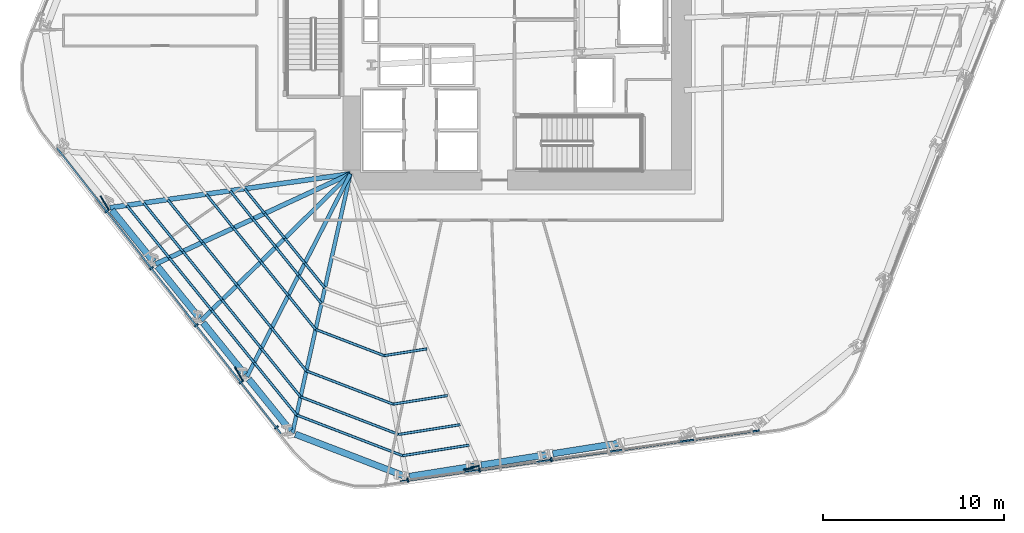
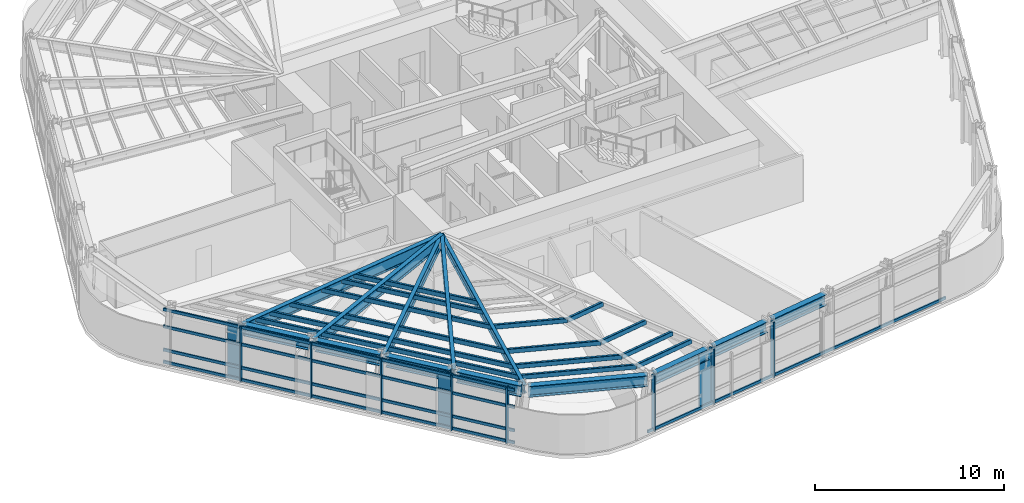
# One storey, part 2 of 16: 48 members, 13 beams, 2 elements without a shape of their own.
"""IFC4 building model written with IfcOpenShell, lengths in metres."""

from ifc_helpers import new_model, si_unit, direction, frame, origin, origin_2d, place, context, subcontext, project, spatial, rectangle, hollow_rectangle, i_section, extrude, material, layer, layer_set, material_profile, profile_set, type_object, element, aggregate, save


model = new_model("IFC4")

# Units and contexts
model_context = context("Model", 3, precision=1e-05, world=origin(), true_north=direction((0.0, 1.0)))
body_context = subcontext(model_context, "Body", "Model", "MODEL_VIEW")
ifc_project = project(units=[si_unit("LENGTHUNIT", "METRE"), si_unit("AREAUNIT", "SQUARE_METRE"), si_unit("VOLUMEUNIT", "CUBIC_METRE"), si_unit("PLANEANGLEUNIT", "RADIAN"), si_unit("MASSUNIT", "GRAM", prefix="KILO")], contexts=[model_context])

# Site, building, storey
site_placement = place(None, origin())
site = spatial("IfcSite", under=ifc_project, at=site_placement, CompositionType="ELEMENT")
building_placement = place(site_placement, origin())
building = spatial("IfcBuilding", under=site, at=building_placement, Name="Valkerne Bourse Tower", CompositionType="ELEMENT")
storey_placement = place(building_placement, frame((0.0, 0.0, 58.199951171875)))
storey = spatial("IfcBuildingStorey", under=building, at=storey_placement, Name="L14", CompositionType="ELEMENT", Elevation=58.199951171875)

# Beams
ifc_material_1 = material(Name="Steel ASTM A992", Category="steel")
ifc_material_profile_1 = material_profile(ifc_material_1, i_section(OverallWidth=0.209228515625, OverallDepth=0.533447265625, WebThickness=0.01025390625, FlangeThickness=0.015625, FilletRadius=0.017822265625, at=origin_2d()), Name="W21X62")
ifc_profile_set_1 = profile_set([ifc_material_profile_1], Name="Steel ASTM A992")
beam_type_1 = type_object("IfcBeamType", Name="BM-W21X62", PredefinedType="JOIST", material=ifc_profile_set_1)
beam_1_placement = place(storey_placement, frame((34.410400390625, 4.1123046875, 3.313232421875), z_axis=(0.217885654593, 0.97597430372, 0.0), x_axis=(-0.97597430372, 0.217885654593, 0.0)))
element("IfcBeam", 1, at=beam_1_placement, inside=storey, type_object=beam_type_1, Name="L14 Radial Composite Floor Beam 23", PredefinedType="JOIST", context=body_context, shape_type="SweptSolid", body=[
    extrude(i_section(OverallWidth=0.209228515625, OverallDepth=0.533447265625, WebThickness=0.01025390625, FlangeThickness=0.015625, FilletRadius=0.017822265625, at=origin_2d()), origin(), (0.0, 0.0, 1.0), 14.639404296875),
])
ifc_material_profile_2 = material_profile(ifc_material_1, i_section(OverallWidth=0.2138671875, OverallDepth=0.548583984375, WebThickness=0.0146484375, FlangeThickness=0.023681640625, FilletRadius=0.017822265625, at=origin_2d()), Name="W21X93")
ifc_profile_set_2 = profile_set([ifc_material_profile_2], Name="Steel ASTM A992")
beam_type_2 = type_object("IfcBeamType", Name="BM-W21X93", PredefinedType="BEAM", material=ifc_profile_set_2)
beam_2_placement = place(storey_placement, frame((31.8955078125, 7.2177734375, 3.3056640625), z_axis=(0.454433809477, 0.890780507647, 0.0), x_axis=(-0.890780507647, 0.454433809477, 0.0)))
element("IfcBeam", 2, at=beam_2_placement, inside=storey, type_object=beam_type_2, Name="L14 Radial Composite Floor Beam 22", PredefinedType="BEAM", context=body_context, shape_type="SweptSolid", body=[
    extrude(i_section(OverallWidth=0.2138671875, OverallDepth=0.548583984375, WebThickness=0.0146484375, FlangeThickness=0.023681640625, FilletRadius=0.017822265625, at=origin_2d()), origin(), (0.0, 0.0, 1.0), 12.55322265625),
])
ifc_material_profile_3 = material_profile(ifc_material_1, i_section(OverallWidth=0.228271484375, OverallDepth=0.607177734375, WebThickness=0.01123046875, FlangeThickness=0.017333984375, FilletRadius=0.017822265625, at=origin_2d()), Name="W24X76")
ifc_profile_set_3 = profile_set([ifc_material_profile_3], Name="Steel ASTM A992")
beam_type_3 = type_object("IfcBeamType", Name="BM-W24X76", PredefinedType="JOIST", material=ifc_profile_set_3)
beam_3_placement = place(storey_placement, frame((29.380859375, 10.3232421875, 3.2763671875), z_axis=(0.713266188815, 0.700893247145, 0.0), x_axis=(-0.700893247145, 0.713266188815, 0.0)))
element("IfcBeam", 3, at=beam_3_placement, inside=storey, type_object=beam_type_3, Name="L14 Radial Composite Floor Beam 21", PredefinedType="JOIST", context=body_context, shape_type="SweptSolid", body=[
    extrude(i_section(OverallWidth=0.228271484375, OverallDepth=0.607177734375, WebThickness=0.01123046875, FlangeThickness=0.017333984375, FilletRadius=0.017822265625, at=origin_2d()), origin(), (0.0, 0.0, 1.0), 11.5234375),
])
ifc_material_profile_4 = material_profile(ifc_material_1, i_section(OverallWidth=0.255859375, OverallDepth=0.693359375, WebThickness=0.014404296875, FlangeThickness=0.023681640625, FilletRadius=0.02294921875, at=origin_2d()), Name="W27X114")
ifc_profile_set_4 = profile_set([ifc_material_profile_4], Name="Steel ASTM A992")
beam_type_4 = type_object("IfcBeamType", Name="BM-W27X114", PredefinedType="BEAM", material=ifc_profile_set_4)
beam_4_placement = place(storey_placement, frame((26.8662109375, 13.4287109375, 3.2333984375), z_axis=(0.907408904451, 0.420248831198, 0.0), x_axis=(-0.420248831198, 0.907408904451, 0.0)))
element("IfcBeam", 4, at=beam_4_placement, inside=storey, type_object=beam_type_4, Name="L14 Radial Composite Floor Beam 20", PredefinedType="BEAM", context=body_context, shape_type="SweptSolid", body=[
    extrude(i_section(OverallWidth=0.255859375, OverallDepth=0.693359375, WebThickness=0.014404296875, FlangeThickness=0.023681640625, FilletRadius=0.02294921875, at=origin_2d()), origin(), (0.0, 0.0, 1.0), 11.8291015625),
])
ifc_material_profile_5 = material_profile(ifc_material_1, i_section(OverallWidth=0.358154296875, OverallDepth=0.7060546875, WebThickness=0.018310546875, FlangeThickness=0.0302734375, FilletRadius=0.02294921875, at=origin_2d()), Name="W27X178")
ifc_profile_set_5 = profile_set([ifc_material_profile_5], Name="Steel ASTM A992")
beam_type_5 = type_object("IfcBeamType", Name="BM-W27X178", PredefinedType="SPANDREL", material=ifc_profile_set_5)
for number, where, z_axis, x_axis, name in (
    (5, (24.458251953125, 16.402099609375, 3.22705078125), (0.629309639735, -0.777154667577, 0.0), (0.777154667577, 0.629309639735, 0.0), "L14 Hexagonal Spandrel Ring Beam 19"),
    (6, (26.97314453125, 13.296630859375, 3.22705078125), (0.629309639735, -0.777154667577, 0.0), (0.777154667577, 0.629309639735, 0.0), "L14 Hexagonal Spandrel Ring Beam 20"),
    (7, (29.48779296875, 10.191162109375, 3.22705078125), (0.629309639735, -0.777154667577, 0.0), (0.777154667577, 0.629309639735, 0.0), "L14 Hexagonal Spandrel Ring Beam 21"),
    (8, (32.002685546875, 7.085693359375, 3.22705078125), (0.629309639735, -0.777154667577, 0.0), (0.777154667577, 0.629309639735, 0.0), "L14 Hexagonal Spandrel Ring Beam 22"),
):
    element("IfcBeam", number, at=place(storey_placement, frame(where, z_axis=z_axis, x_axis=x_axis)), inside=storey, type_object=beam_type_5, Name=name, PredefinedType="SPANDREL", context=body_context, shape_type="SweptSolid", body=[
        extrude(i_section(OverallWidth=0.358154296875, OverallDepth=0.7060546875, WebThickness=0.018310546875, FlangeThickness=0.0302734375, FilletRadius=0.02294921875, at=origin_2d()), origin(), (0.0, 0.0, 1.0), 3.656005859375),
    ])
beam_5_placement = place(storey_placement, frame((34.569091796875, 4.051513671875, 3.22705078125), z_axis=(0.93356997138, -0.35839518487, 0.0), x_axis=(0.35839518487, 0.93356997138, 0.0)))
element("IfcBeam", 9, at=beam_5_placement, inside=storey, type_object=beam_type_5, Name="L14 Hexagonal Spandrel Ring Beam 23", PredefinedType="SPANDREL", context=body_context, shape_type="SweptSolid", body=[
    extrude(i_section(OverallWidth=0.358154296875, OverallDepth=0.7060546875, WebThickness=0.018310546875, FlangeThickness=0.0302734375, FilletRadius=0.02294921875, at=origin_2d()), origin(), (0.0, 0.0, 1.0), 6.388916015625),
])
for number, where, z_axis, x_axis, name in (
    (10, (40.8603515625, 1.7275390625, 3.22705078125), (0.987695193169, 0.156391193456, 0.0), (-0.156391193456, 0.987695193169, 0.0), "L14 Hexagonal Spandrel Ring Beam 24"),
    (11, (44.80712890625, 2.3525390625, 3.22705078125), (0.987684876333, 0.156456335964, 0.0), (-0.156456335964, 0.987684876333, 0.0), "L14 Hexagonal Spandrel Ring Beam 25"),
    (12, (48.75390625, 2.977783203125, 3.22705078125), (0.987695193169, 0.156391193456, 0.0), (-0.156391193456, 0.987695193169, 0.0), "L14 Hexagonal Spandrel Ring Beam 26"),
):
    element("IfcBeam", number, at=place(storey_placement, frame(where, z_axis=z_axis, x_axis=x_axis)), inside=storey, type_object=beam_type_5, Name=name, PredefinedType="SPANDREL", context=body_context, shape_type="SweptSolid", body=[
        extrude(i_section(OverallWidth=0.358154296875, OverallDepth=0.7060546875, WebThickness=0.018310546875, FlangeThickness=0.0302734375, FilletRadius=0.02294921875, at=origin_2d()), origin(), (0.0, 0.0, 1.0), 3.656005859375),
    ])
ifc_material_profile_6 = material_profile(ifc_material_1, i_section(OverallWidth=0.26806640625, OverallDepth=0.76953125, WebThickness=0.015625, FlangeThickness=0.025390625, FilletRadius=0.025390625, at=origin_2d()), Name="W30X132")
ifc_profile_set_6 = profile_set([ifc_material_profile_6], Name="Steel ASTM A992")
beam_type_6 = type_object("IfcBeamType", Name="BM-W30X132", PredefinedType="BEAM", material=ifc_profile_set_6)
beam_6_placement = place(storey_placement, frame((24.351318359375, 16.5341796875, 3.1953125), z_axis=(0.990229628312, 0.139446345285, 0.0), x_axis=(-0.139446345285, 0.990229628312, 0.0)))
element("IfcBeam", 13, at=beam_6_placement, inside=storey, type_object=beam_type_6, Name="L14 Radial Composite Floor Beam 19", PredefinedType="BEAM", context=body_context, shape_type="SweptSolid", body=[
    extrude(i_section(OverallWidth=0.26806640625, OverallDepth=0.76953125, WebThickness=0.015625, FlangeThickness=0.025390625, FilletRadius=0.025390625, at=origin_2d()), origin(), (0.0, 0.0, 1.0), 13.37939453125),
])

# Curtain wall, members
ifc_material_2 = material(Name="Aluminium AA 6063-T6", Category="aluminium")
ifc_layer = layer(ifc_material_2, 0.22509765625)
ifc_layer_set = layer_set([ifc_layer], Name="Aluminium AA 6063-T6")
curtain_wall_type = type_object("IfcCurtainWallType", Name="CW-01", PredefinedType="NOTDEFINED", material=ifc_layer_set)
curtain_wall_1_placement = place(storey_placement, origin())
curtain_wall_1 = element("IfcCurtainWall", 14, at=curtain_wall_1_placement, inside=storey, type_object=curtain_wall_type, Name="L14 Hexagonal Stick Curtain Wall Face 4", PredefinedType="NOTDEFINED")
ifc_material_profile_7 = material_profile(ifc_material_2, rectangle(XDim=0.090087890625, YDim=0.239990234375, at=origin_2d()), Name="CWM-90X240")
ifc_profile_set_7 = profile_set([ifc_material_profile_7], Name="Aluminium AA 6063-T6")
member_type_1 = type_object("IfcMemberType", Name="CW-MUL-240X90", PredefinedType="MULLION", material=ifc_profile_set_7)
member_1_placement = place(storey_placement, frame((24.181396484375, 16.347900390625, 0.0), z_axis=(0.0, 0.0, 1.0), x_axis=(0.617038764225, -0.786932756621, 0.0)))
member_1 = element("IfcMember", 15, at=member_1_placement, type_object=member_type_1, Name="CW-L14-F4 Jamb Mullion 01A", PredefinedType="MULLION", context=body_context, shape_type="SweptSolid", body=[
    extrude(rectangle(XDim=0.090087890625, YDim=0.239990234375, at=origin_2d()), origin(), (0.0, 0.0, 1.0), 3.580078125),
])
member_2_placement = place(storey_placement, frame((26.64697265625, 13.203369140625, 0.0), z_axis=(0.0, 0.0, 1.0), x_axis=(0.617038764225, -0.786932756621, 0.0)))
member_2 = element("IfcMember", 16, at=member_2_placement, type_object=member_type_1, Name="CW-L14-F4 Jamb Mullion 02A", PredefinedType="MULLION", context=body_context, shape_type="SweptSolid", body=[
    extrude(rectangle(XDim=0.090087890625, YDim=0.239990234375, at=origin_2d()), origin(), (0.0, 0.0, 1.0), 3.580078125),
])
member_3_placement = place(storey_placement, frame((29.11279296875, 10.05859375, 0.0), z_axis=(0.0, 0.0, 1.0), x_axis=(0.617023266871, -0.786944907945, 0.0)))
member_3 = element("IfcMember", 17, at=member_3_placement, type_object=member_type_1, Name="CW-L14-F4 Jamb Mullion 03A", PredefinedType="MULLION", context=body_context, shape_type="SweptSolid", body=[
    extrude(rectangle(XDim=0.090087890625, YDim=0.239990234375, at=origin_2d()), origin(), (0.0, 0.0, 1.0), 3.580078125),
])
member_4_placement = place(storey_placement, frame((31.578369140625, 6.9140625, 0.0), z_axis=(0.0, 0.0, 1.0), x_axis=(0.617038764225, -0.786932756621, 0.0)))
member_4 = element("IfcMember", 18, at=member_4_placement, type_object=member_type_1, Name="CW-L14-F4 Jamb Mullion 04A", PredefinedType="MULLION", context=body_context, shape_type="SweptSolid", body=[
    extrude(rectangle(XDim=0.090087890625, YDim=0.239990234375, at=origin_2d()), origin(), (0.0, 0.0, 1.0), 3.580078125),
])
member_5_placement = place(storey_placement, frame((33.525634765625, 4.430419921875, 0.0), z_axis=(0.0, 0.0, 1.0), x_axis=(0.617038764225, -0.786932756621, 0.0)))
member_5 = element("IfcMember", 19, at=member_5_placement, type_object=member_type_1, Name="CW-L14-F4 Jamb Mullion 04B", PredefinedType="MULLION", context=body_context, shape_type="SweptSolid", body=[
    extrude(rectangle(XDim=0.090087890625, YDim=0.239990234375, at=origin_2d()), origin(), (0.0, 0.0, 1.0), 3.580078125),
])

curtain_wall_2_placement = place(storey_placement, origin())
curtain_wall_2 = element("IfcCurtainWall", 20, at=curtain_wall_2_placement, inside=storey, type_object=curtain_wall_type, Name="L14 Hexagonal Stick Curtain Wall Face 5", PredefinedType="NOTDEFINED")
member_6_placement = place(storey_placement, frame((40.759521484375, 1.5224609375, 0.0), z_axis=(0.0, 0.0, 1.0), x_axis=(0.990021934564, 0.140913338908, 0.0)))
member_6 = element("IfcMember", 21, at=member_6_placement, type_object=member_type_1, Name="CW-L14-F5 Jamb Mullion 00A", PredefinedType="MULLION", context=body_context, shape_type="SweptSolid", body=[
    extrude(rectangle(XDim=0.090087890625, YDim=0.239990234375, at=origin_2d()), origin(), (0.0, 0.0, 1.0), 3.580078125),
])
member_7_placement = place(storey_placement, frame((44.7158203125, 2.085693359375, 0.0), z_axis=(0.0, 0.0, 1.0), x_axis=(0.990024928635, 0.14089230171, 0.0)))
member_7 = element("IfcMember", 22, at=member_7_placement, type_object=member_type_1, Name="CW-L14-F5 Jamb Mullion 01A", PredefinedType="MULLION", context=body_context, shape_type="SweptSolid", body=[
    extrude(rectangle(XDim=0.090087890625, YDim=0.239990234375, at=origin_2d()), origin(), (0.0, 0.0, 1.0), 3.580078125),
])
member_8_placement = place(storey_placement, frame((48.671875, 2.648681640625, 0.0), z_axis=(0.0, 0.0, 1.0), x_axis=(0.990021437646, 0.140916830088, 0.0)))
member_8 = element("IfcMember", 23, at=member_8_placement, type_object=member_type_1, Name="CW-L14-F5 Jamb Mullion 02A", PredefinedType="MULLION", context=body_context, shape_type="SweptSolid", body=[
    extrude(rectangle(XDim=0.090087890625, YDim=0.239990234375, at=origin_2d()), origin(), (0.0, 0.0, 1.0), 3.580078125),
])

# Member
ifc_material_profile_8 = material_profile(ifc_material_2, rectangle(XDim=0.090087890625, YDim=0.179931640625, at=origin_2d()), Name="CWT-90X180")
ifc_profile_set_8 = profile_set([ifc_material_profile_8], Name="Aluminium AA 6063-T6")
member_type_2 = type_object("IfcMemberType", Name="CW-TRN-180X90", PredefinedType="USERDEFINED", material=ifc_profile_set_8)
member_9_placement = place(storey_placement, frame((21.440673828125, 19.810546875, 0.1201171875), z_axis=(0.617037129125, -0.786934038711, 0.0), x_axis=(0.786934038711, 0.617037129125, 0.0)))
member_9 = element("IfcMember", 24, at=member_9_placement, type_object=member_type_2, Name="CW-L14-F4 Continuous Face Transom 1", ObjectType="TRANSOM", PredefinedType="USERDEFINED", context=body_context, shape_type="SweptSolid", body=[
    extrude(rectangle(XDim=0.090087890625, YDim=0.179931640625, at=origin_2d()), origin(), (0.0, 0.0, 1.0), 19.97998046875),
])

member_10_placement = place(storey_placement, frame((21.440673828125, 19.810546875, 0.900146484375), z_axis=(0.617037129125, -0.786934038711, 0.0), x_axis=(0.786934038711, 0.617037129125, 0.0)))
member_10 = element("IfcMember", 25, at=member_10_placement, type_object=member_type_2, Name="CW-L14-F4 Continuous Face Transom 2", ObjectType="TRANSOM", PredefinedType="USERDEFINED", context=body_context, shape_type="SweptSolid", body=[
    extrude(rectangle(XDim=0.090087890625, YDim=0.179931640625, at=origin_2d()), origin(), (0.0, 0.0, 1.0), 19.97998046875),
])

member_11_placement = place(storey_placement, frame((21.440673828125, 19.810546875, 2.400146484375), z_axis=(0.617037129125, -0.786934038711, 0.0), x_axis=(0.786934038711, 0.617037129125, 0.0)))
member_11 = element("IfcMember", 26, at=member_11_placement, type_object=member_type_2, Name="CW-L14-F4 Continuous Face Transom 3", ObjectType="TRANSOM", PredefinedType="USERDEFINED", context=body_context, shape_type="SweptSolid", body=[
    extrude(rectangle(XDim=0.090087890625, YDim=0.179931640625, at=origin_2d()), origin(), (0.0, 0.0, 1.0), 19.97998046875),
])

member_12_placement = place(storey_placement, frame((21.440673828125, 19.810546875, 3.5), z_axis=(0.617037129125, -0.786934038711, 0.0), x_axis=(0.786934038711, 0.617037129125, 0.0)))
member_12 = element("IfcMember", 27, at=member_12_placement, type_object=member_type_2, Name="CW-L14-F4 Continuous Face Transom 4", ObjectType="TRANSOM", PredefinedType="USERDEFINED", context=body_context, shape_type="SweptSolid", body=[
    extrude(rectangle(XDim=0.090087890625, YDim=0.179931640625, at=origin_2d()), origin(), (0.0, 0.0, 1.0), 19.97998046875),
])

aggregate(curtain_wall_1, [member_9, member_10, member_11, member_12, member_1, member_2, member_3, member_4, member_5])

member_13_placement = place(storey_placement, frame((40.346435546875, 1.443603515625, 0.1201171875), z_axis=(0.990023893273, 0.140899576823, 0.0), x_axis=(-0.140899576823, 0.990023893273, 0.0)))
member_13 = element("IfcMember", 28, at=member_13_placement, type_object=member_type_2, Name="CW-L14-F5 Continuous Face Transom 1", ObjectType="TRANSOM", PredefinedType="USERDEFINED", context=body_context, shape_type="SweptSolid", body=[
    extrude(rectangle(XDim=0.090087890625, YDim=0.179931640625, at=origin_2d()), origin(), (0.0, 0.0, 1.0), 19.97998046875),
])

aggregate(curtain_wall_2, [member_13, member_6, member_7, member_8])

# Members
ifc_material_3 = material(Name="Bronze Anodised Aluminium AA 6063-T6", Category="aluminium")
ifc_material_profile_9 = material_profile(ifc_material_3, rectangle(XDim=0.070068359375, YDim=0.89990234375, at=origin_2d()), Name="FIN-70X900")
ifc_profile_set_9 = profile_set([ifc_material_profile_9], Name="Bronze Anodised Aluminium AA 6063-T6")
member_type_3 = type_object("IfcMemberType", Name="FIN-SOLAR-900", PredefinedType="USERDEFINED", material=ifc_profile_set_9)
for number, where, z_axis, x_axis, name in (
    (29, (24.063720703125, 16.78955078125, 0.004150390625), (0.0, 0.0, 1.0), (-0.857969193691, -0.513701141402, 0.0), "L14 Bronze Anodised Solar Fin F4-01"),
    (30, (31.460693359375, 7.355712890625, 0.004150390625), (0.0, 0.0, 1.0), (-0.857969193691, -0.513701141402, 0.0), "L14 Bronze Anodised Solar Fin F4-04"),
    (31, (44.2744140625, 2.20458984375, 0.004150390625), (0.0, 0.0, 1.0), (0.257268871844, -0.966339861322, 0.0), "L14 Bronze Anodised Solar Fin F5-01"),
):
    element("IfcMember", number, at=place(storey_placement, frame(where, z_axis=z_axis, x_axis=x_axis)), inside=storey, type_object=member_type_3, Name=name, ObjectType="SOLAR_FIN", PredefinedType="USERDEFINED", context=body_context, shape_type="SweptSolid", body=[
        extrude(rectangle(XDim=0.070068359375, YDim=0.89990234375, at=origin_2d()), origin(), (0.0, 0.0, 1.0), 3.57177734375),
    ])
ifc_material_4 = material(Name="Steel ASTM A500 Grade C", Category="steel")
ifc_material_profile_10 = material_profile(ifc_material_4, hollow_rectangle(XDim=0.14990234375, YDim=0.300048828125, WallThickness=0.012451171875, OuterFilletRadius=0.02490234375, at=origin_2d()), Name="HSS300X150X12.5")
ifc_profile_set_10 = profile_set([ifc_material_profile_10], Name="Steel ASTM A500 Grade C")
member_type_4 = type_object("IfcMemberType", Name="MBR-HSS300X150X12.5", PredefinedType="PURLIN", material=ifc_profile_set_10)
for number, where, z_axis, x_axis, name in (
    (32, (31.7705078125, 17.5791015625, 3.420166015625), (0.629373953206, -0.777102584622, 0.0), (0.777102584622, 0.629373953206, 0.0), "L14 Secondary Composite Floor Purlin K-19"),
    (33, (32.877197265625, 16.212646484375, 3.420166015625), (0.629290096716, -0.777170492347, 0.0), (0.777170492347, 0.629290096716, 0.0), "L14 Secondary Composite Floor Purlin K-20"),
    (34, (33.983642578125, 14.84619140625, 3.420166015625), (0.629290096716, -0.777170492347, 0.0), (0.777170492347, 0.629290096716, 0.0), "L14 Secondary Composite Floor Purlin K-21"),
):
    element("IfcMember", number, at=place(storey_placement, frame(where, z_axis=z_axis, x_axis=x_axis)), inside=storey, type_object=member_type_4, Name=name, PredefinedType="PURLIN", context=body_context, shape_type="SweptSolid", body=[
        extrude(hollow_rectangle(XDim=0.14990234375, YDim=0.300048828125, WallThickness=0.012451171875, OuterFilletRadius=0.02490234375, at=origin_2d()), origin(), (0.0, 0.0, 1.0), 1.75830078125),
    ])
member_14_placement = place(storey_placement, frame((35.090087890625, 13.479736328125, 3.420166015625), z_axis=(0.629358010776, -0.777115496095, 0.0), x_axis=(0.777115496095, 0.629358010776, 0.0)))
element("IfcMember", 35, at=member_14_placement, inside=storey, type_object=member_type_4, Name="L14 Secondary Composite Floor Purlin K-22", PredefinedType="PURLIN", context=body_context, shape_type="SweptSolid", body=[
    extrude(hollow_rectangle(XDim=0.14990234375, YDim=0.300048828125, WallThickness=0.012451171875, OuterFilletRadius=0.02490234375, at=origin_2d()), origin(), (0.0, 0.0, 1.0), 1.758056640625),
])
for number, where, z_axis, x_axis, name in (
    (36, (30.9755859375, 17.46728515625, 3.420166015625), (0.629243920782, -0.77720787963, 0.0), (0.77720787963, 0.629243920782, 0.0), "L14 Secondary Composite Floor Purlin M-19"),
    (37, (32.23291015625, 15.914306640625, 3.420166015625), (0.629377473115, -0.777099733841, 0.0), (0.777099733841, 0.629377473115, 0.0), "L14 Secondary Composite Floor Purlin M-20"),
    (38, (33.490478515625, 14.361572265625, 3.420166015625), (0.62930367874, -0.777159494521, 0.0), (0.777159494521, 0.62930367874, 0.0), "L14 Secondary Composite Floor Purlin M-21"),
    (39, (34.747802734375, 12.808837890625, 3.420166015625), (0.62930367874, -0.777159494521, 0.0), (0.777159494521, 0.62930367874, 0.0), "L14 Secondary Composite Floor Purlin M-22"),
):
    element("IfcMember", number, at=place(storey_placement, frame(where, z_axis=z_axis, x_axis=x_axis)), inside=storey, type_object=member_type_4, Name=name, PredefinedType="PURLIN", context=body_context, shape_type="SweptSolid", body=[
        extrude(hollow_rectangle(XDim=0.14990234375, YDim=0.300048828125, WallThickness=0.012451171875, OuterFilletRadius=0.02490234375, at=origin_2d()), origin(), (0.0, 0.0, 1.0), 1.998046875),
    ])
for number, where, z_axis, x_axis, name in (
    (40, (27.531005859375, 16.982177734375, 3.420166015625), (0.629272226232, -0.777184962086, 0.0), (0.777184962086, 0.629272226232, 0.0), "L14 Secondary Composite Floor Purlin O-19"),
    (41, (29.442138671875, 14.621826171875, 3.420166015625), (0.629360092855, -0.77711380989, 0.0), (0.77711380989, 0.629360092855, 0.0), "L14 Secondary Composite Floor Purlin O-20"),
):
    element("IfcMember", number, at=place(storey_placement, frame(where, z_axis=z_axis, x_axis=x_axis)), inside=storey, type_object=member_type_4, Name=name, PredefinedType="PURLIN", context=body_context, shape_type="SweptSolid", body=[
        extrude(hollow_rectangle(XDim=0.14990234375, YDim=0.300048828125, WallThickness=0.012451171875, OuterFilletRadius=0.02490234375, at=origin_2d()), origin(), (0.0, 0.0, 1.0), 3.037109375),
    ])
for number, where, z_axis, x_axis, name in (
    (42, (31.353515625, 12.26171875, 3.420166015625), (0.629311542197, -0.777153127033, 0.0), (0.777153127033, 0.629311542197, 0.0), "L14 Secondary Composite Floor Purlin O-21"),
    (43, (33.2646484375, 9.901611328125, 3.420166015625), (0.629311542197, -0.777153127033, 0.0), (0.777153127033, 0.629311542197, 0.0), "L14 Secondary Composite Floor Purlin O-22"),
):
    element("IfcMember", number, at=place(storey_placement, frame(where, z_axis=z_axis, x_axis=x_axis)), inside=storey, type_object=member_type_4, Name=name, PredefinedType="PURLIN", context=body_context, shape_type="SweptSolid", body=[
        extrude(hollow_rectangle(XDim=0.14990234375, YDim=0.300048828125, WallThickness=0.012451171875, OuterFilletRadius=0.02490234375, at=origin_2d()), origin(), (0.0, 0.0, 1.0), 3.036865234375),
    ])
member_15_placement = place(storey_placement, frame((35.17578125, 7.54150390625, 3.420166015625), z_axis=(0.933577951964, -0.358374395858, 0.0), x_axis=(0.358374395858, 0.933577951964, 0.0)))
element("IfcMember", 44, at=member_15_placement, inside=storey, type_object=member_type_4, Name="L14 Secondary Composite Floor Purlin O-23", PredefinedType="PURLIN", context=body_context, shape_type="SweptSolid", body=[
    extrude(hollow_rectangle(XDim=0.14990234375, YDim=0.300048828125, WallThickness=0.012451171875, OuterFilletRadius=0.02490234375, at=origin_2d()), origin(), (0.0, 0.0, 1.0), 5.114013671875),
])
member_16_placement = place(storey_placement, frame((39.9501953125, 5.708740234375, 3.420166015625), z_axis=(0.987689205249, 0.156429005731, 0.0), x_axis=(-0.156429005731, 0.987689205249, 0.0)))
element("IfcMember", 45, at=member_16_placement, inside=storey, type_object=member_type_4, Name="L14 Secondary Composite Floor Purlin O-24", PredefinedType="PURLIN", context=body_context, shape_type="SweptSolid", body=[
    extrude(hollow_rectangle(XDim=0.14990234375, YDim=0.300048828125, WallThickness=0.012451171875, OuterFilletRadius=0.02490234375, at=origin_2d()), origin(), (0.0, 0.0, 1.0), 3.037109375),
])
for number, where, z_axis, x_axis, name in (
    (46, (29.65087890625, 17.280517578125, 3.420166015625), (0.62930367874, -0.777159494521, 0.0), (0.777159494521, 0.62930367874, 0.0), "L14 Secondary Composite Floor Purlin Z-19"),
    (47, (31.15966796875, 15.417236328125, 3.420166015625), (0.62930367874, -0.777159494521, 0.0), (0.777159494521, 0.62930367874, 0.0), "L14 Secondary Composite Floor Purlin Z-20"),
):
    element("IfcMember", number, at=place(storey_placement, frame(where, z_axis=z_axis, x_axis=x_axis)), inside=storey, type_object=member_type_4, Name=name, PredefinedType="PURLIN", context=body_context, shape_type="SweptSolid", body=[
        extrude(hollow_rectangle(XDim=0.14990234375, YDim=0.300048828125, WallThickness=0.012451171875, OuterFilletRadius=0.02490234375, at=origin_2d()), origin(), (0.0, 0.0, 1.0), 2.3974609375),
    ])
member_17_placement = place(storey_placement, frame((32.66845703125, 13.553955078125, 3.420166015625), z_axis=(0.629365175235, -0.777109693802, 0.0), x_axis=(0.777109693802, 0.629365175235, 0.0)))
element("IfcMember", 48, at=member_17_placement, inside=storey, type_object=member_type_4, Name="L14 Secondary Composite Floor Purlin Z-21", PredefinedType="PURLIN", context=body_context, shape_type="SweptSolid", body=[
    extrude(hollow_rectangle(XDim=0.14990234375, YDim=0.300048828125, WallThickness=0.012451171875, OuterFilletRadius=0.02490234375, at=origin_2d()), origin(), (0.0, 0.0, 1.0), 2.397705078125),
])
member_18_placement = place(storey_placement, frame((34.177490234375, 11.690673828125, 3.420166015625), z_axis=(0.62930367874, -0.777159494521, 0.0), x_axis=(0.777159494521, 0.62930367874, 0.0)))
element("IfcMember", 49, at=member_18_placement, inside=storey, type_object=member_type_4, Name="L14 Secondary Composite Floor Purlin Z-22", PredefinedType="PURLIN", context=body_context, shape_type="SweptSolid", body=[
    extrude(hollow_rectangle(XDim=0.14990234375, YDim=0.300048828125, WallThickness=0.012451171875, OuterFilletRadius=0.02490234375, at=origin_2d()), origin(), (0.0, 0.0, 1.0), 2.3974609375),
])
member_19_placement = place(storey_placement, frame((35.686279296875, 9.827392578125, 3.420166015625), z_axis=(0.93359007306, -0.358342818379, 0.0), x_axis=(0.358342818379, 0.93359007306, 0.0)))
element("IfcMember", 50, at=member_19_placement, inside=storey, type_object=member_type_4, Name="L14 Secondary Composite Floor Purlin Z-23", PredefinedType="PURLIN", context=body_context, shape_type="SweptSolid", body=[
    extrude(hollow_rectangle(XDim=0.14990234375, YDim=0.300048828125, WallThickness=0.012451171875, OuterFilletRadius=0.02490234375, at=origin_2d()), origin(), (0.0, 0.0, 1.0), 4.037353515625),
])
member_20_placement = place(storey_placement, frame((39.45556640625, 8.380615234375, 3.420166015625), z_axis=(0.98769102608, 0.156417508615, 0.0), x_axis=(-0.156417508615, 0.98769102608, 0.0)))
element("IfcMember", 51, at=member_20_placement, inside=storey, type_object=member_type_4, Name="L14 Secondary Composite Floor Purlin Z-24", PredefinedType="PURLIN", context=body_context, shape_type="SweptSolid", body=[
    extrude(hollow_rectangle(XDim=0.14990234375, YDim=0.300048828125, WallThickness=0.012451171875, OuterFilletRadius=0.02490234375, at=origin_2d()), origin(), (0.0, 0.0, 1.0), 2.3974609375),
])
for number, where, z_axis, x_axis, name in (
    (52, (26.2060546875, 16.79541015625, 3.420166015625), (0.629353533465, -0.777119122088, 0.0), (0.777119122088, 0.629353533465, 0.0), "L14 Secondary Composite Floor Purlin T-19"),
    (53, (28.368896484375, 14.124755859375, 3.420166015625), (0.629310627835, -0.777153867451, 0.0), (0.777153867451, 0.629310627835, 0.0), "L14 Secondary Composite Floor Purlin T-20"),
    (54, (30.531494140625, 11.4541015625, 3.420166015625), (0.629275883392, -0.777182000938, 0.0), (0.777182000938, 0.629275883392, 0.0), "L14 Secondary Composite Floor Purlin T-21"),
    (55, (32.694091796875, 8.783203125, 3.420166015625), (0.629388279749, -0.777090981363, 0.0), (0.777090981363, 0.629388279749, 0.0), "L14 Secondary Composite Floor Purlin T-22"),
):
    element("IfcMember", number, at=place(storey_placement, frame(where, z_axis=z_axis, x_axis=x_axis)), inside=storey, type_object=member_type_4, Name=name, PredefinedType="PURLIN", context=body_context, shape_type="SweptSolid", body=[
        extrude(hollow_rectangle(XDim=0.14990234375, YDim=0.300048828125, WallThickness=0.012451171875, OuterFilletRadius=0.02490234375, at=origin_2d()), origin(), (0.0, 0.0, 1.0), 3.4365234375),
    ])
member_21_placement = place(storey_placement, frame((34.85693359375, 6.11279296875, 3.420166015625), z_axis=(0.933573753407, -0.358385333056, 0.0), x_axis=(0.358385333056, 0.933573753407, 0.0)))
element("IfcMember", 56, at=member_21_placement, inside=storey, type_object=member_type_4, Name="L14 Secondary Composite Floor Purlin T-23", PredefinedType="PURLIN", context=body_context, shape_type="SweptSolid", body=[
    extrude(hollow_rectangle(XDim=0.14990234375, YDim=0.300048828125, WallThickness=0.012451171875, OuterFilletRadius=0.02490234375, at=origin_2d()), origin(), (0.0, 0.0, 1.0), 5.787109375),
])
member_22_placement = place(storey_placement, frame((40.259521484375, 4.038818359375, 3.420166015625), z_axis=(0.987688547763, 0.156433157029, 0.0), x_axis=(-0.156433157029, 0.987688547763, 0.0)))
element("IfcMember", 57, at=member_22_placement, inside=storey, type_object=member_type_4, Name="L14 Secondary Composite Floor Purlin T-24", PredefinedType="PURLIN", context=body_context, shape_type="SweptSolid", body=[
    extrude(hollow_rectangle(XDim=0.14990234375, YDim=0.300048828125, WallThickness=0.012451171875, OuterFilletRadius=0.02490234375, at=origin_2d()), origin(), (0.0, 0.0, 1.0), 3.4365234375),
])
member_23_placement = place(storey_placement, frame((25.27880859375, 16.664794921875, 3.420166015625), z_axis=(0.629322957128, -0.777143883481, 0.0), x_axis=(0.777143883481, 0.629322957128, 0.0)))
element("IfcMember", 58, at=member_23_placement, inside=storey, type_object=member_type_4, Name="L14 Secondary Composite Floor Purlin U-19", PredefinedType="PURLIN", context=body_context, shape_type="SweptSolid", body=[
    extrude(hollow_rectangle(XDim=0.14990234375, YDim=0.300048828125, WallThickness=0.012451171875, OuterFilletRadius=0.02490234375, at=origin_2d()), origin(), (0.0, 0.0, 1.0), 3.716064453125),
])
member_24_placement = place(storey_placement, frame((27.617431640625, 13.77685546875, 3.420166015625), z_axis=(0.629330503686, -0.777137772297, 0.0), x_axis=(0.777137772297, 0.629330503686, 0.0)))
element("IfcMember", 59, at=member_24_placement, inside=storey, type_object=member_type_4, Name="L14 Secondary Composite Floor Purlin U-20", PredefinedType="PURLIN", context=body_context, shape_type="SweptSolid", body=[
    extrude(hollow_rectangle(XDim=0.14990234375, YDim=0.300048828125, WallThickness=0.012451171875, OuterFilletRadius=0.02490234375, at=origin_2d()), origin(), (0.0, 0.0, 1.0), 3.716552734375),
])
for number, where, z_axis, x_axis, name in (
    (60, (29.956298828125, 10.888671875, 3.420166015625), (0.629290826922, -0.777169901085, 0.0), (0.777169901085, 0.629290826922, 0.0), "L14 Secondary Composite Floor Purlin U-21"),
    (61, (32.294921875, 8.00048828125, 3.420166015625), (0.62936263326, -0.777111752488, 0.0), (0.777111752488, 0.62936263326, 0.0), "L14 Secondary Composite Floor Purlin U-22"),
):
    element("IfcMember", number, at=place(storey_placement, frame(where, z_axis=z_axis, x_axis=x_axis)), inside=storey, type_object=member_type_4, Name=name, PredefinedType="PURLIN", context=body_context, shape_type="SweptSolid", body=[
        extrude(hollow_rectangle(XDim=0.14990234375, YDim=0.300048828125, WallThickness=0.012451171875, OuterFilletRadius=0.02490234375, at=origin_2d()), origin(), (0.0, 0.0, 1.0), 3.71630859375),
    ])
member_25_placement = place(storey_placement, frame((34.6337890625, 5.112548828125, 3.420166015625), z_axis=(0.933578682148, -0.358372493699, 0.0), x_axis=(0.358372493699, 0.933578682148, 0.0)))
element("IfcMember", 62, at=member_25_placement, inside=storey, type_object=member_type_4, Name="L14 Secondary Composite Floor Purlin U-23", PredefinedType="PURLIN", context=body_context, shape_type="SweptSolid", body=[
    extrude(hollow_rectangle(XDim=0.14990234375, YDim=0.300048828125, WallThickness=0.012451171875, OuterFilletRadius=0.02490234375, at=origin_2d()), origin(), (0.0, 0.0, 1.0), 6.258056640625),
])
member_26_placement = place(storey_placement, frame((40.47607421875, 2.869873046875, 3.420166015625), z_axis=(0.987689880172, 0.156424744226, 0.0), x_axis=(-0.156424744226, 0.987689880172, 0.0)))
element("IfcMember", 63, at=member_26_placement, inside=storey, type_object=member_type_4, Name="L14 Secondary Composite Floor Purlin U-24", PredefinedType="PURLIN", context=body_context, shape_type="SweptSolid", body=[
    extrude(hollow_rectangle(XDim=0.14990234375, YDim=0.300048828125, WallThickness=0.012451171875, OuterFilletRadius=0.02490234375, at=origin_2d()), origin(), (0.0, 0.0, 1.0), 3.716064453125),
])

save(model, "model.ifc")
